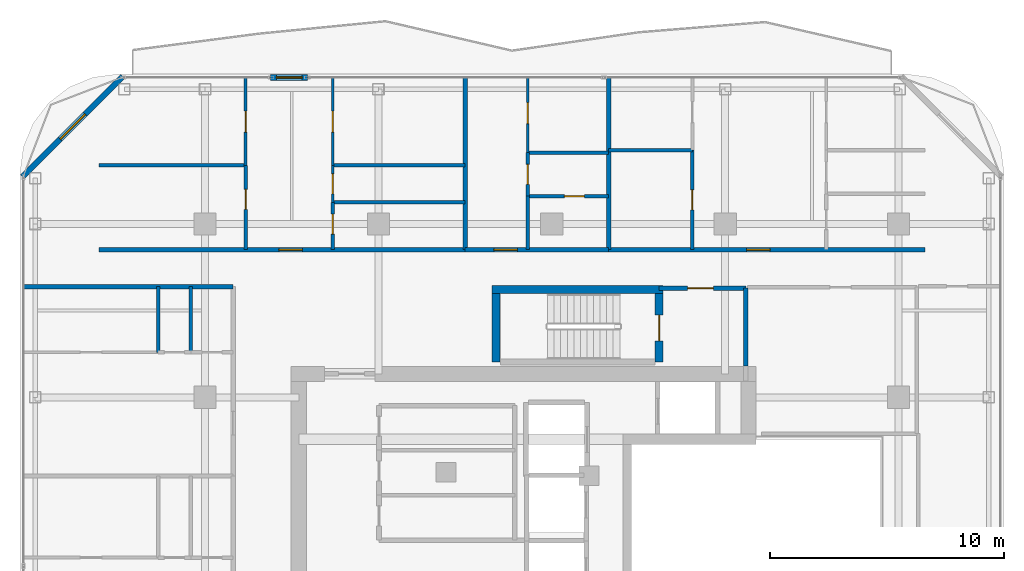
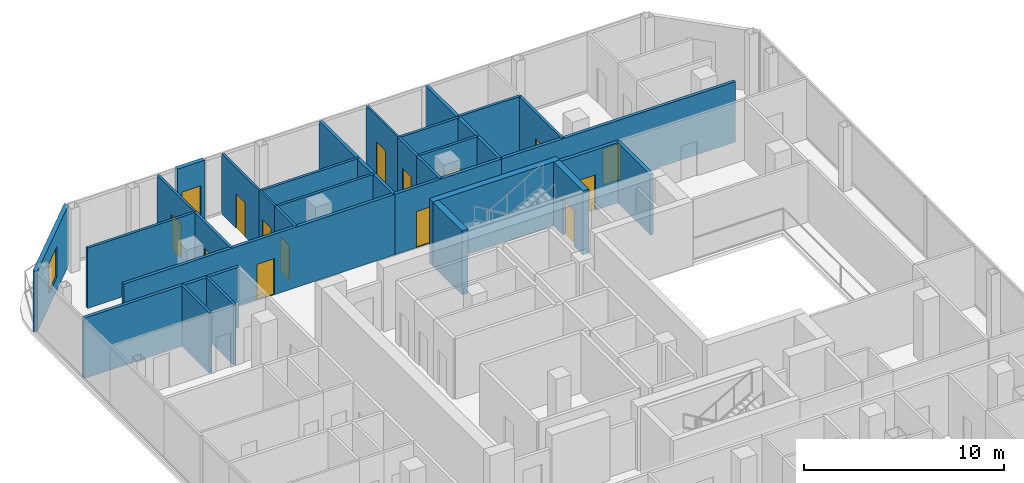
# One storey, part 19 of 23: 30 walls, 15 doors, 1 window, 16 openings.
"""IFC4 building model written with IfcOpenShell, lengths in metres."""

from ifc_helpers import new_model, si_unit, direction, frame, frame_2d, origin, place, context, subcontext, project, spatial, rectangle, extrude, material, layer, layer_set, type_object, element, fill, save


model = new_model("IFC4")

# Units and contexts
model_context = context("Model", 3, precision=1e-05, world=origin(), true_north=direction((0.0, 1.0)))
body_context = subcontext(model_context, "Body", "Model", "MODEL_VIEW")
ifc_project = project(units=[si_unit("LENGTHUNIT", "METRE"), si_unit("AREAUNIT", "SQUARE_METRE"), si_unit("VOLUMEUNIT", "CUBIC_METRE"), si_unit("PLANEANGLEUNIT", "RADIAN"), si_unit("MASSUNIT", "GRAM", prefix="KILO")], contexts=[model_context])

# Site, building, storey
site_placement = place(None, origin())
site = spatial("IfcSite", under=ifc_project, at=site_placement, CompositionType="ELEMENT")
building_placement = place(site_placement, origin())
building = spatial("IfcBuilding", under=site, at=building_placement, Name="Khorvyn Point Tower", CompositionType="ELEMENT")
storey_placement = place(building_placement, frame((0.0, 0.0, 293.699951171875)))
storey = spatial("IfcBuildingStorey", under=building, at=storey_placement, Name="L72", CompositionType="ELEMENT", Elevation=293.699951171875)

# Wall, opening, door
ifc_material_1 = material(Name="Double acoustic gypsum on twin steel stud", Category="steel")
ifc_layer_1 = layer(ifc_material_1, 0.179931640625)
ifc_layer_set_1 = layer_set([ifc_layer_1], Name="Acoustic Double-Stud Apartment Demising Wall 180")
wall_type_1 = type_object("IfcWallType", Name="Acoustic Double-Stud Apartment Demising Wall 180", PredefinedType="PARTITIONING", material=ifc_layer_set_1)
wall_1_placement = place(storey_placement, frame((-19.320068359375, 13.699951171875, 0.0), z_axis=(0.0, 0.0, 1.0), x_axis=(1.0, 0.0, 0.0)))
wall_1 = element("IfcWall", 1, at=wall_1_placement, inside=storey, type_object=wall_type_1, Name="Wall", PredefinedType="PARTITIONING", context=body_context, shape_type="SweptSolid", body=[
    extrude(rectangle(XDim=15.623046875, YDim=0.179931640625, at=frame_2d((7.8115234375, 0.0))), origin(), (0.0, 0.0, 1.0), 3.679931640625),
])
opening_1_placement = place(wall_1_placement, frame((7.669189453125, 0.0, 0.0)))
opening_1 = element("IfcOpeningElement", 2, at=opening_1_placement, cuts=wall_1, Name="Opening ID-AP60", PredefinedType="OPENING", context=body_context, shape_type="SweptSolid", body=[
    extrude(rectangle(XDim=1.0, YDim=2.199951171875, at=frame_2d((0.5, 1.10009765625))), frame((0.0, 0.099853515625, 0.0), z_axis=(0.0, -1.0, 0.0), x_axis=(1.0, 0.0, 0.0)), (0.0, 0.0, 1.0), 0.199951171875),
])
ifc_material_2 = material(Name="Engineered hardwood fire-rated leaf", Category="wood")
door_type_1 = type_object("IfcDoorType", Name="Acoustic Solid-Core Timber Apartment Entrance Door 1000x2200", OperationType="NOTDEFINED", PredefinedType="DOOR", material=ifc_material_2)
door_1_placement = place(opening_1_placement, origin())
door_1 = element("IfcDoor", 3, at=door_1_placement, inside=storey, type_object=door_type_1, Name="Door", OperationType="SINGLE_SWING_LEFT", OverallHeight=2.199951171875, OverallWidth=1.0, PredefinedType="DOOR", context=body_context, shape_type="SweptSolid", body=[
    extrude(rectangle(XDim=1.0, YDim=2.199951171875, at=frame_2d((0.5, 1.10009765625))), frame((0.0, 0.02490234375, 0.0), z_axis=(0.0, -1.0, 0.0), x_axis=(1.0, 0.0, 0.0)), (0.0, 0.0, 1.0), 0.050048828125),
])
fill(opening_1, door_1)

wall_2_placement = place(storey_placement, frame((-3.697021484375, 13.699951171875, 0.0), z_axis=(0.0, 0.0, 1.0), x_axis=(1.0, 0.0, 0.0)))
wall_2 = element("IfcWall", 4, at=wall_2_placement, inside=storey, type_object=wall_type_1, Name="Wall", PredefinedType="PARTITIONING", context=body_context, shape_type="SweptSolid", body=[
    extrude(rectangle(XDim=6.1259765625, YDim=0.179931640625, at=frame_2d((3.06298828125, 0.0))), origin(), (0.0, 0.0, 1.0), 3.679931640625),
])
opening_2_placement = place(wall_2_placement, frame((1.22802734375, 0.0, 0.0)))
opening_2 = element("IfcOpeningElement", 5, at=opening_2_placement, cuts=wall_2, Name="Opening ID-AP60", PredefinedType="OPENING", context=body_context, shape_type="SweptSolid", body=[
    extrude(rectangle(XDim=1.0, YDim=2.199951171875, at=frame_2d((0.5, 1.10009765625))), frame((0.0, 0.099853515625, 0.0), z_axis=(0.0, -1.0, 0.0), x_axis=(1.0, 0.0, 0.0)), (0.0, 0.0, 1.0), 0.199951171875),
])
door_2_placement = place(opening_2_placement, origin())
door_2 = element("IfcDoor", 6, at=door_2_placement, inside=storey, type_object=door_type_1, Name="Door", OperationType="SINGLE_SWING_LEFT", OverallHeight=2.199951171875, OverallWidth=1.0, PredefinedType="DOOR", context=body_context, shape_type="SweptSolid", body=[
    extrude(rectangle(XDim=1.0, YDim=2.199951171875, at=frame_2d((0.5, 1.10009765625))), frame((0.0, 0.02490234375, 0.0), z_axis=(0.0, -1.0, 0.0), x_axis=(1.0, 0.0, 0.0)), (0.0, 0.0, 1.0), 0.050048828125),
])
fill(opening_2, door_2)

wall_3_placement = place(storey_placement, frame((2.428955078125, 13.699951171875, 0.0), z_axis=(0.0, 0.0, 1.0), x_axis=(1.0, 0.0, 0.0)))
wall_3 = element("IfcWall", 7, at=wall_3_placement, inside=storey, type_object=wall_type_1, Name="Wall", PredefinedType="PARTITIONING", context=body_context, shape_type="SweptSolid", body=[
    extrude(rectangle(XDim=13.490966796875, YDim=0.179931640625, at=frame_2d((6.74560546875, 0.0))), origin(), (0.0, 0.0, 1.0), 3.679931640625),
])
opening_3_placement = place(wall_3_placement, frame((5.887451171875, 0.0, 0.0)))
opening_3 = element("IfcOpeningElement", 8, at=opening_3_placement, cuts=wall_3, Name="Opening ID-AP60", PredefinedType="OPENING", context=body_context, shape_type="SweptSolid", body=[
    extrude(rectangle(XDim=1.0, YDim=2.199951171875, at=frame_2d((0.5, 1.10009765625))), frame((0.0, 0.099853515625, 0.0), z_axis=(0.0, -1.0, 0.0), x_axis=(1.0, 0.0, 0.0)), (0.0, 0.0, 1.0), 0.199951171875),
])
door_3_placement = place(opening_3_placement, origin())
door_3 = element("IfcDoor", 9, at=door_3_placement, inside=storey, type_object=door_type_1, Name="Door", OperationType="SINGLE_SWING_LEFT", OverallHeight=2.199951171875, OverallWidth=1.0, PredefinedType="DOOR", context=body_context, shape_type="SweptSolid", body=[
    extrude(rectangle(XDim=1.0, YDim=2.199951171875, at=frame_2d((0.5, 1.10009765625))), frame((0.0, 0.02490234375, 0.0), z_axis=(0.0, -1.0, 0.0), x_axis=(1.0, 0.0, 0.0)), (0.0, 0.0, 1.0), 0.050048828125),
])
fill(opening_3, door_3)

# Walls
for number, where, z_axis, x_axis, name in (
    (10, (-3.697021484375, 13.699951171875, 0.0), (0.0, 0.0, 1.0), (0.0, 1.0, 0.0), "Wall"),
    (11, (2.428955078125, 13.699951171875, 0.0), (0.0, 0.0, 1.0), (0.0, 1.0, 0.0), "Wall"),
):
    element("IfcWall", number, at=place(storey_placement, frame(where, z_axis=z_axis, x_axis=x_axis)), inside=storey, type_object=wall_type_1, Name=name, PredefinedType="PARTITIONING", context=body_context, shape_type="SweptSolid", body=[
        extrude(rectangle(XDim=7.330078125, YDim=0.179931640625, at=frame_2d((3.6650390625, 0.0))), origin(), (0.0, 0.0, 1.0), 3.679931640625),
    ])
wall_4_placement = place(storey_placement, frame((-22.530029296875, 12.1201171875, 0.0), z_axis=(0.0, 0.0, 1.0), x_axis=(1.0, 0.0, 0.0)))
element("IfcWall", 12, at=wall_4_placement, inside=storey, type_object=wall_type_1, Name="Wall", PredefinedType="PARTITIONING", context=body_context, shape_type="SweptSolid", body=[
    extrude(rectangle(XDim=8.929931640625, YDim=0.179931640625, at=frame_2d((4.46484375, 0.0))), origin(), (0.0, 0.0, 1.0), 3.679931640625),
])

# Wall, opening, door
ifc_material_3 = material(Name="Pale anodised aluminium rainscreen on steel stud", Category="steel")
ifc_layer_2 = layer(ifc_material_3, 0.239990234375)
ifc_layer_set_2 = layer_set([ifc_layer_2], Name="Anodised Aluminium Insulated Corner Spandrel Wall 240")
wall_type_2 = type_object("IfcWallType", Name="Anodised Aluminium Insulated Corner Spandrel Wall 240", PredefinedType="SOLIDWALL", material=ifc_layer_set_2)
wall_5_placement = place(storey_placement, frame((-12.0, 21.050048828125, 0.0), z_axis=(0.0, 0.0, 1.0), x_axis=(1.0, 0.0, 0.0)))
wall_5 = element("IfcWall", 13, at=wall_5_placement, inside=storey, type_object=wall_type_2, Name="L72 North Outdoor Threshold Wall", PredefinedType="SOLIDWALL", context=body_context, shape_type="SweptSolid", body=[
    extrude(rectangle(XDim=1.580078125, YDim=0.239990234375, at=frame_2d((0.7900390625, 0.0))), origin(), (0.0, 0.0, 1.0), 3.679931640625),
])
opening_4_placement = place(wall_5_placement, frame((0.239990234375, 0.0, 0.0)))
opening_4 = element("IfcOpeningElement", 14, at=opening_4_placement, cuts=wall_5, Name="Opening BD-1122", PredefinedType="OPENING", context=body_context, shape_type="SweptSolid", body=[
    extrude(rectangle(XDim=1.10009765625, YDim=2.199951171875, at=frame_2d((0.550048828125, 1.10009765625))), frame((0.0, 0.1298828125, 0.0), z_axis=(0.0, -1.0, 0.0), x_axis=(1.0, 0.0, 0.0)), (0.0, 0.0, 1.0), 0.260009765625),
])
ifc_material_4 = material(Name="Anodised aluminium 6063-T6 and laminated Low-E glass", Category="aluminium")
door_type_2 = type_object("IfcDoorType", Name="Glazed Balcony and Terrace Threshold Door 1100x2200", OperationType="NOTDEFINED", PredefinedType="DOOR", material=ifc_material_4)
door_4_placement = place(opening_4_placement, origin())
door_4 = element("IfcDoor", 15, at=door_4_placement, inside=storey, type_object=door_type_2, Name="L72 North Glazed Balcony Outdoor Door", OperationType="SINGLE_SWING_RIGHT", OverallHeight=2.199951171875, OverallWidth=1.10009765625, PredefinedType="DOOR", context=body_context, shape_type="SweptSolid", body=[
    extrude(rectangle(XDim=1.10009765625, YDim=2.199951171875, at=frame_2d((0.550048828125, 1.10009765625))), frame((0.0, 0.02490234375, 0.0), z_axis=(0.0, -1.0, 0.0), x_axis=(1.0, 0.0, 0.0)), (0.0, 0.0, 1.0), 0.050048828125),
])
fill(opening_4, door_4)

# Wall, opening, window
wall_6_placement = place(storey_placement, frame((-22.59228515625, 16.8076171875, 0.0), z_axis=(0.0, 0.0, 1.0), x_axis=(0.707106781187, 0.707106781187, 0.0)))
wall_6 = element("IfcWall", 16, at=wall_6_placement, inside=storey, type_object=wall_type_2, Name="L72 Rounded Corner Wall NW", PredefinedType="SOLIDWALL", context=body_context, shape_type="SweptSolid", body=[
    extrude(rectangle(XDim=6.059326171875, YDim=0.239990234375, at=frame_2d((3.02978515625, 0.0))), origin(), (0.0, 0.0, 1.0), 3.679931640625),
])
opening_5_placement = place(wall_6_placement, frame((2.27978515625, 0.0, 0.800048828125)))
opening_5 = element("IfcOpeningElement", 17, at=opening_5_placement, cuts=wall_6, Name="Opening WN-1518", PredefinedType="OPENING", context=body_context, shape_type="SweptSolid", body=[
    extrude(rectangle(XDim=1.5, YDim=1.85009765625, at=frame_2d((0.75, 0.925048828125))), frame((0.0, 0.1298828125, 0.0), z_axis=(0.0, -1.0, 0.0), x_axis=(1.0, 0.0, 0.0)), (0.0, 0.0, 1.0), 0.260009765625),
])
window_type = type_object("IfcWindowType", Name="Anodised Aluminium Rounded-Corner Panoramic Window 1500x1850", PartitioningType="SINGLE_PANEL", PredefinedType="WINDOW", material=ifc_material_4)
window_placement = place(opening_5_placement, origin())
window = element("IfcWindow", 18, at=window_placement, inside=storey, type_object=window_type, Name="L72 Corner Panoramic Window NW", OverallHeight=1.85009765625, OverallWidth=1.5, PartitioningType="SINGLE_PANEL", PredefinedType="WINDOW", context=body_context, shape_type="SweptSolid", body=[
    extrude(rectangle(XDim=1.5, YDim=1.85009765625, at=frame_2d((0.75, 0.925048828125))), frame((0.0, 0.030029296875, 0.0), z_axis=(0.0, -1.0, 0.0), x_axis=(1.0, 0.0, 0.0)), (0.0, 0.0, 1.0), 0.06005859375),
])
fill(opening_5, window)

# Wall, opening, door
ifc_material_5 = material(Name="Concrete C40/50", Category="concrete")
ifc_layer_3 = layer(ifc_material_5, 0.199951171875)
ifc_layer_set_3 = layer_set([ifc_layer_3], Name="Concrete C40/50 Fire-Lobby Compartment Wall 200")
wall_type_3 = type_object("IfcWallType", Name="Concrete C40/50 Fire-Lobby Compartment Wall 200", PredefinedType="SOLIDWALL", material=ifc_layer_set_3)
wall_7_placement = place(storey_placement, frame((4.580078125, 12.06005859375, 0.0), z_axis=(0.0, 0.0, 1.0), x_axis=(1.0, 0.0, 0.0)))
wall_7 = element("IfcWall", 19, at=wall_7_placement, inside=storey, type_object=wall_type_3, Name="Wall", PredefinedType="SOLIDWALL", context=body_context, shape_type="SweptSolid", body=[
    extrude(rectangle(XDim=3.699951171875, YDim=0.199951171875, at=frame_2d((1.85009765625, 0.0))), origin(), (0.0, 0.0, 1.0), 3.679931640625),
])
opening_6_placement = place(wall_7_placement, frame((1.21240234375, 0.0, 0.0)))
opening_6 = element("IfcOpeningElement", 20, at=opening_6_placement, cuts=wall_7, Name="Opening ID-FL90", PredefinedType="OPENING", context=body_context, shape_type="SweptSolid", body=[
    extrude(rectangle(XDim=1.10009765625, YDim=2.14990234375, at=frame_2d((0.550048828125, 1.074951171875))), frame((0.0, 0.10986328125, 0.0), z_axis=(0.0, -1.0, 0.0), x_axis=(1.0, 0.0, 0.0)), (0.0, 0.0, 1.0), 0.219970703125),
])
ifc_material_6 = material(Name="Galvanised powder-coated steel", Category="steel")
door_type_3 = type_object("IfcDoorType", Name="Fire-Rated Steel Lobby and Stair Door 1100x2150", OperationType="NOTDEFINED", PredefinedType="DOOR", material=ifc_material_6)
door_5_placement = place(opening_6_placement, origin())
door_5 = element("IfcDoor", 21, at=door_5_placement, inside=storey, type_object=door_type_3, Name="Door", OperationType="SINGLE_SWING_LEFT", OverallHeight=2.14990234375, OverallWidth=1.10009765625, PredefinedType="DOOR", context=body_context, shape_type="SweptSolid", body=[
    extrude(rectangle(XDim=1.10009765625, YDim=2.14990234375, at=frame_2d((0.550048828125, 1.074951171875))), frame((0.0, 0.02490234375, 0.0), z_axis=(0.0, -1.0, 0.0), x_axis=(1.0, 0.0, 0.0)), (0.0, 0.0, 1.0), 0.050048828125),
])
fill(opening_6, door_5)

# Walls
wall_8_placement = place(storey_placement, frame((8.280029296875, 8.72509765625, 0.0), z_axis=(0.0, 0.0, 1.0), x_axis=(0.0, 1.0, 0.0)))
element("IfcWall", 22, at=wall_8_placement, inside=storey, type_object=wall_type_3, Name="Wall", PredefinedType="SOLIDWALL", context=body_context, shape_type="SweptSolid", body=[
    extrude(rectangle(XDim=3.3349609375, YDim=0.199951171875, at=frame_2d((1.66748046875, 0.0))), origin(), (0.0, 0.0, 1.0), 3.679931640625),
])
ifc_layer_4 = layer(ifc_material_5, 0.35009765625)
ifc_layer_set_4 = layer_set([ifc_layer_4], Name="Concrete C40/50 Stair Shaft Structural Wall 350")
wall_type_4 = type_object("IfcWallType", Name="Concrete C40/50 Stair Shaft Structural Wall 350", PredefinedType="SHEAR", material=ifc_layer_set_4)
wall_9_placement = place(storey_placement, frame((-2.554931640625, 12.0, 0.0), z_axis=(0.0, 0.0, 1.0), x_axis=(1.0, 0.0, 0.0)))
element("IfcWall", 23, at=wall_9_placement, inside=storey, type_object=wall_type_4, Name="L72 ST-02 North Shaft Wall", PredefinedType="SHEAR", context=body_context, shape_type="SweptSolid", body=[
    extrude(rectangle(XDim=7.309814453125, YDim=0.35009765625, at=frame_2d((3.65478515625, 0.0))), origin(), (0.0, 0.0, 1.0), 3.900146484375),
])
wall_10_placement = place(storey_placement, frame((-2.3798828125, 8.89990234375, 0.0), z_axis=(0.0, 0.0, 1.0), x_axis=(0.0, 1.0, 0.0)))
element("IfcWall", 24, at=wall_10_placement, inside=storey, type_object=wall_type_4, Name="L72 ST-02 West Shaft Wall", PredefinedType="SHEAR", context=body_context, shape_type="SweptSolid", body=[
    extrude(rectangle(XDim=2.925048828125, YDim=0.35009765625, at=frame_2d((1.46240234375, 0.0))), origin(), (0.0, 0.0, 1.0), 3.900146484375),
])

# Wall, opening, door
wall_11_placement = place(storey_placement, frame((4.580078125, 11.824951171875, 0.0), z_axis=(0.0, 0.0, 1.0), x_axis=(0.0, -1.0, 0.0)))
wall_11 = element("IfcWall", 25, at=wall_11_placement, inside=storey, type_object=wall_type_4, Name="L72 ST-02 East Landing Door Wall", PredefinedType="SHEAR", context=body_context, shape_type="SweptSolid", body=[
    extrude(rectangle(XDim=2.925048828125, YDim=0.35009765625, at=frame_2d((1.46240234375, 0.0))), origin(), (0.0, 0.0, 1.0), 3.900146484375),
])
opening_7_placement = place(wall_11_placement, frame((0.91259765625, 0.0, 0.0)))
opening_7 = element("IfcOpeningElement", 26, at=opening_7_placement, cuts=wall_11, Name="Opening ID-FL90", PredefinedType="OPENING", context=body_context, shape_type="SweptSolid", body=[
    extrude(rectangle(XDim=1.10009765625, YDim=2.14990234375, at=frame_2d((0.550048828125, 1.074951171875))), frame((0.0, 0.18505859375, 0.0), z_axis=(0.0, -1.0, 0.0), x_axis=(1.0, 0.0, 0.0)), (0.0, 0.0, 1.0), 0.3701171875),
])
door_6_placement = place(opening_7_placement, origin())
door_6 = element("IfcDoor", 27, at=door_6_placement, inside=storey, type_object=door_type_3, Name="L72 ST-02 Smokeproof Landing Door", OperationType="SINGLE_SWING_LEFT", OverallHeight=2.14990234375, OverallWidth=1.10009765625, PredefinedType="DOOR", context=body_context, shape_type="SweptSolid", body=[
    extrude(rectangle(XDim=1.10009765625, YDim=2.14990234375, at=frame_2d((0.550048828125, 1.074951171875))), frame((0.0, 0.02490234375, 0.0), z_axis=(0.0, -1.0, 0.0), x_axis=(1.0, 0.0, 0.0)), (0.0, 0.0, 1.0), 0.050048828125),
])
fill(opening_7, door_6)

ifc_material_7 = material(Name="Gypsum plasterboard on steel stud", Category="steel")
ifc_layer_5 = layer(ifc_material_7, 0.1201171875)
ifc_layer_set_5 = layer_set([ifc_layer_5], Name="Gypsum Acoustic Stud Room Partition Wall 120")
wall_type_5 = type_object("IfcWallType", Name="Gypsum Acoustic Stud Room Partition Wall 120", PredefinedType="PARTITIONING", material=ifc_layer_set_5)
wall_12_placement = place(storey_placement, frame((-13.071044921875, 17.303955078125, 0.0), z_axis=(0.0, 0.0, 1.0), x_axis=(0.0, 1.0, 0.0)))
wall_12 = element("IfcWall", 28, at=wall_12_placement, inside=storey, type_object=wall_type_5, Name="Wall", PredefinedType="PARTITIONING", context=body_context, shape_type="SweptSolid", body=[
    extrude(rectangle(XDim=3.72607421875, YDim=0.1201171875, at=frame_2d((1.863037109375, 0.0))), origin(), (0.0, 0.0, 1.0), 3.679931640625),
])
opening_8_placement = place(wall_12_placement, frame((1.4130859375, 0.0, 0.0)))
opening_8 = element("IfcOpeningElement", 29, at=opening_8_placement, cuts=wall_12, Name="Opening ID-RM90", PredefinedType="OPENING", context=body_context, shape_type="SweptSolid", body=[
    extrude(rectangle(XDim=0.89990234375, YDim=2.10009765625, at=frame_2d((0.449951171875, 1.050048828125))), frame((0.0, 0.070068359375, 0.0), z_axis=(0.0, -1.0, 0.0), x_axis=(1.0, 0.0, 0.0)), (0.0, 0.0, 1.0), 0.14013671875),
])
ifc_material_8 = material(Name="Engineered oak veneer timber", Category="wood")
door_type_4 = type_object("IfcDoorType", Name="Flush Engineered Timber Room Door 900x2100", OperationType="NOTDEFINED", PredefinedType="DOOR", material=ifc_material_8)
door_7_placement = place(opening_8_placement, origin())
door_7 = element("IfcDoor", 30, at=door_7_placement, inside=storey, type_object=door_type_4, Name="Door", OperationType="SINGLE_SWING_LEFT", OverallHeight=2.10009765625, OverallWidth=0.89990234375, PredefinedType="DOOR", context=body_context, shape_type="SweptSolid", body=[
    extrude(rectangle(XDim=0.89990234375, YDim=2.10009765625, at=frame_2d((0.449951171875, 1.050048828125))), frame((0.0, 0.02490234375, 0.0), z_axis=(0.0, -1.0, 0.0), x_axis=(1.0, 0.0, 0.0)), (0.0, 0.0, 1.0), 0.050048828125),
])
fill(opening_8, door_7)

wall_13_placement = place(storey_placement, frame((-9.34912109375, 15.718017578125, 0.0), z_axis=(0.0, 0.0, 1.0), x_axis=(0.0, 1.0, 0.0)))
wall_13 = element("IfcWall", 31, at=wall_13_placement, inside=storey, type_object=wall_type_5, Name="Wall", PredefinedType="PARTITIONING", context=body_context, shape_type="SweptSolid", body=[
    extrude(rectangle(XDim=1.5859375, YDim=0.1201171875, at=frame_2d((0.79296875, 0.0))), origin(), (0.0, 0.0, 1.0), 3.679931640625),
])
opening_9_placement = place(wall_13_placement, frame((0.367919921875, 0.0, 0.0)))
opening_9 = element("IfcOpeningElement", 32, at=opening_9_placement, cuts=wall_13, Name="Opening ID-WC85", PredefinedType="OPENING", context=body_context, shape_type="SweptSolid", body=[
    extrude(rectangle(XDim=0.85009765625, YDim=2.10009765625, at=frame_2d((0.425048828125, 1.050048828125))), frame((0.0, 0.070068359375, 0.0), z_axis=(0.0, -1.0, 0.0), x_axis=(1.0, 0.0, 0.0)), (0.0, 0.0, 1.0), 0.14013671875),
])
ifc_material_9 = material(Name="High-pressure laminate on moisture-resistant core", Category="wood")
door_type_5 = type_object("IfcDoorType", Name="Moisture-Resistant Accessible Washroom Door 850x2100", OperationType="NOTDEFINED", PredefinedType="DOOR", material=ifc_material_9)
door_8_placement = place(opening_9_placement, origin())
door_8 = element("IfcDoor", 33, at=door_8_placement, inside=storey, type_object=door_type_5, Name="Door", OperationType="SINGLE_SWING_LEFT", OverallHeight=2.10009765625, OverallWidth=0.85009765625, PredefinedType="DOOR", context=body_context, shape_type="SweptSolid", body=[
    extrude(rectangle(XDim=0.85009765625, YDim=2.10009765625, at=frame_2d((0.425048828125, 1.050048828125))), frame((0.0, 0.02490234375, 0.0), z_axis=(0.0, -1.0, 0.0), x_axis=(1.0, 0.0, 0.0)), (0.0, 0.0, 1.0), 0.050048828125),
])
fill(opening_9, door_8)

wall_14_placement = place(storey_placement, frame((-9.34912109375, 17.303955078125, 0.0), z_axis=(0.0, 0.0, 1.0), x_axis=(0.0, 1.0, 0.0)))
wall_14 = element("IfcWall", 34, at=wall_14_placement, inside=storey, type_object=wall_type_5, Name="Wall", PredefinedType="PARTITIONING", context=body_context, shape_type="SweptSolid", body=[
    extrude(rectangle(XDim=3.72607421875, YDim=0.1201171875, at=frame_2d((1.863037109375, 0.0))), origin(), (0.0, 0.0, 1.0), 3.679931640625),
])
opening_10_placement = place(wall_14_placement, frame((1.4130859375, 0.0, 0.0)))
opening_10 = element("IfcOpeningElement", 35, at=opening_10_placement, cuts=wall_14, Name="Opening ID-RM90", PredefinedType="OPENING", context=body_context, shape_type="SweptSolid", body=[
    extrude(rectangle(XDim=0.89990234375, YDim=2.10009765625, at=frame_2d((0.449951171875, 1.050048828125))), frame((0.0, 0.070068359375, 0.0), z_axis=(0.0, -1.0, 0.0), x_axis=(1.0, 0.0, 0.0)), (0.0, 0.0, 1.0), 0.14013671875),
])
door_9_placement = place(opening_10_placement, origin())
door_9 = element("IfcDoor", 36, at=door_9_placement, inside=storey, type_object=door_type_4, Name="Door", OperationType="SINGLE_SWING_RIGHT", OverallHeight=2.10009765625, OverallWidth=0.89990234375, PredefinedType="DOOR", context=body_context, shape_type="SweptSolid", body=[
    extrude(rectangle(XDim=0.89990234375, YDim=2.10009765625, at=frame_2d((0.449951171875, 1.050048828125))), frame((0.0, 0.02490234375, 0.0), z_axis=(0.0, -1.0, 0.0), x_axis=(1.0, 0.0, 0.0)), (0.0, 0.0, 1.0), 0.050048828125),
])
fill(opening_10, door_9)

wall_15_placement = place(storey_placement, frame((-1.031005859375, 17.846923828125, 0.0), z_axis=(0.0, 0.0, 1.0), x_axis=(0.0, 1.0, 0.0)))
wall_15 = element("IfcWall", 37, at=wall_15_placement, inside=storey, type_object=wall_type_5, Name="Wall", PredefinedType="PARTITIONING", context=body_context, shape_type="SweptSolid", body=[
    extrude(rectangle(XDim=3.18310546875, YDim=0.1201171875, at=frame_2d((1.591552734375, 0.0))), origin(), (0.0, 0.0, 1.0), 3.679931640625),
])
opening_11_placement = place(wall_15_placement, frame((1.230712890625, 0.0, 0.0)))
opening_11 = element("IfcOpeningElement", 38, at=opening_11_placement, cuts=wall_15, Name="Opening ID-RM90", PredefinedType="OPENING", context=body_context, shape_type="SweptSolid", body=[
    extrude(rectangle(XDim=0.89990234375, YDim=2.10009765625, at=frame_2d((0.449951171875, 1.050048828125))), frame((0.0, 0.070068359375, 0.0), z_axis=(0.0, -1.0, 0.0), x_axis=(1.0, 0.0, 0.0)), (0.0, 0.0, 1.0), 0.14013671875),
])
door_10_placement = place(opening_11_placement, origin())
door_10 = element("IfcDoor", 39, at=door_10_placement, inside=storey, type_object=door_type_4, Name="Door", OperationType="SINGLE_SWING_RIGHT", OverallHeight=2.10009765625, OverallWidth=0.89990234375, PredefinedType="DOOR", context=body_context, shape_type="SweptSolid", body=[
    extrude(rectangle(XDim=0.89990234375, YDim=2.10009765625, at=frame_2d((0.449951171875, 1.050048828125))), frame((0.0, 0.02490234375, 0.0), z_axis=(0.0, -1.0, 0.0), x_axis=(1.0, 0.0, 0.0)), (0.0, 0.0, 1.0), 0.050048828125),
])
fill(opening_11, door_10)

ifc_material_10 = material(Name="Moisture-resistant gypsum and cement board", Category="gypsum")
ifc_layer_6 = layer(ifc_material_10, 0.14990234375)
ifc_layer_set_6 = layer_set([ifc_layer_6], Name="Moisture-Resistant Wet-Room Partition Wall 150")
wall_type_6 = type_object("IfcWallType", Name="Moisture-Resistant Wet-Room Partition Wall 150", PredefinedType="PARTITIONING", material=ifc_layer_set_6)
wall_16_placement = place(storey_placement, frame((-13.071044921875, 13.699951171875, 0.0), z_axis=(0.0, 0.0, 1.0), x_axis=(0.0, 1.0, 0.0)))
wall_16 = element("IfcWall", 40, at=wall_16_placement, inside=storey, type_object=wall_type_6, Name="Wall", PredefinedType="PARTITIONING", context=body_context, shape_type="SweptSolid", body=[
    extrude(rectangle(XDim=3.60400390625, YDim=0.14990234375, at=frame_2d((1.802001953125, 0.0))), origin(), (0.0, 0.0, 1.0), 3.679931640625),
])
opening_12_placement = place(wall_16_placement, frame((1.724609375, 0.0, 0.0)))
opening_12 = element("IfcOpeningElement", 41, at=opening_12_placement, cuts=wall_16, Name="Opening ID-WC85", PredefinedType="OPENING", context=body_context, shape_type="SweptSolid", body=[
    extrude(rectangle(XDim=0.85009765625, YDim=2.10009765625, at=frame_2d((0.425048828125, 1.050048828125))), frame((0.0, 0.0849609375, 0.0), z_axis=(0.0, -1.0, 0.0), x_axis=(1.0, 0.0, 0.0)), (0.0, 0.0, 1.0), 0.169921875),
])
door_11_placement = place(opening_12_placement, origin())
door_11 = element("IfcDoor", 42, at=door_11_placement, inside=storey, type_object=door_type_5, Name="Door", OperationType="SINGLE_SWING_RIGHT", OverallHeight=2.10009765625, OverallWidth=0.85009765625, PredefinedType="DOOR", context=body_context, shape_type="SweptSolid", body=[
    extrude(rectangle(XDim=0.85009765625, YDim=2.10009765625, at=frame_2d((0.425048828125, 1.050048828125))), frame((0.0, 0.02490234375, 0.0), z_axis=(0.0, -1.0, 0.0), x_axis=(1.0, 0.0, 0.0)), (0.0, 0.0, 1.0), 0.050048828125),
])
fill(opening_12, door_11)

wall_17_placement = place(storey_placement, frame((-9.34912109375, 13.699951171875, 0.0), z_axis=(0.0, 0.0, 1.0), x_axis=(0.0, 1.0, 0.0)))
wall_17 = element("IfcWall", 43, at=wall_17_placement, inside=storey, type_object=wall_type_6, Name="Wall", PredefinedType="PARTITIONING", context=body_context, shape_type="SweptSolid", body=[
    extrude(rectangle(XDim=2.01806640625, YDim=0.14990234375, at=frame_2d((1.009033203125, 0.0))), origin(), (0.0, 0.0, 1.0), 3.679931640625),
])
opening_13_placement = place(wall_17_placement, frame((0.668701171875, 0.0, 0.0)))
opening_13 = element("IfcOpeningElement", 44, at=opening_13_placement, cuts=wall_17, Name="Opening ID-WC85", PredefinedType="OPENING", context=body_context, shape_type="SweptSolid", body=[
    extrude(rectangle(XDim=0.85009765625, YDim=2.10009765625, at=frame_2d((0.425048828125, 1.050048828125))), frame((0.0, 0.0849609375, 0.0), z_axis=(0.0, -1.0, 0.0), x_axis=(1.0, 0.0, 0.0)), (0.0, 0.0, 1.0), 0.169921875),
])
door_12_placement = place(opening_13_placement, origin())
door_12 = element("IfcDoor", 45, at=door_12_placement, inside=storey, type_object=door_type_5, Name="Door", OperationType="SINGLE_SWING_RIGHT", OverallHeight=2.10009765625, OverallWidth=0.85009765625, PredefinedType="DOOR", context=body_context, shape_type="SweptSolid", body=[
    extrude(rectangle(XDim=0.85009765625, YDim=2.10009765625, at=frame_2d((0.425048828125, 1.050048828125))), frame((0.0, 0.02490234375, 0.0), z_axis=(0.0, -1.0, 0.0), x_axis=(1.0, 0.0, 0.0)), (0.0, 0.0, 1.0), 0.050048828125),
])
fill(opening_13, door_12)

# Wall
wall_18_placement = place(storey_placement, frame((-1.031005859375, 13.699951171875, 0.0), z_axis=(0.0, 0.0, 1.0), x_axis=(0.0, 1.0, 0.0)))
element("IfcWall", 46, at=wall_18_placement, inside=storey, type_object=wall_type_6, Name="Wall", PredefinedType="PARTITIONING", context=body_context, shape_type="SweptSolid", body=[
    extrude(rectangle(XDim=2.281005859375, YDim=0.14990234375, at=frame_2d((1.140625, 0.0))), origin(), (0.0, 0.0, 1.0), 3.679931640625),
])

# Wall, opening, door
wall_19_placement = place(storey_placement, frame((-1.031005859375, 15.98095703125, 0.0), z_axis=(0.0, 0.0, 1.0), x_axis=(0.0, 1.0, 0.0)))
wall_19 = element("IfcWall", 47, at=wall_19_placement, inside=storey, type_object=wall_type_6, Name="Wall", PredefinedType="PARTITIONING", context=body_context, shape_type="SweptSolid", body=[
    extrude(rectangle(XDim=1.865966796875, YDim=0.14990234375, at=frame_2d((0.93310546875, 0.0))), origin(), (0.0, 0.0, 1.0), 3.679931640625),
])
opening_14_placement = place(wall_19_placement, frame((0.508056640625, 0.0, 0.0)))
opening_14 = element("IfcOpeningElement", 48, at=opening_14_placement, cuts=wall_19, Name="Opening ID-WC85", PredefinedType="OPENING", context=body_context, shape_type="SweptSolid", body=[
    extrude(rectangle(XDim=0.85009765625, YDim=2.10009765625, at=frame_2d((0.425048828125, 1.050048828125))), frame((0.0, 0.0849609375, 0.0), z_axis=(0.0, -1.0, 0.0), x_axis=(1.0, 0.0, 0.0)), (0.0, 0.0, 1.0), 0.169921875),
])
door_13_placement = place(opening_14_placement, origin())
door_13 = element("IfcDoor", 49, at=door_13_placement, inside=storey, type_object=door_type_5, Name="Door", OperationType="SINGLE_SWING_LEFT", OverallHeight=2.10009765625, OverallWidth=0.85009765625, PredefinedType="DOOR", context=body_context, shape_type="SweptSolid", body=[
    extrude(rectangle(XDim=0.85009765625, YDim=2.10009765625, at=frame_2d((0.425048828125, 1.050048828125))), frame((0.0, 0.02490234375, 0.0), z_axis=(0.0, -1.0, 0.0), x_axis=(1.0, 0.0, 0.0)), (0.0, 0.0, 1.0), 0.050048828125),
])
fill(opening_14, door_13)

wall_20_placement = place(storey_placement, frame((5.9990234375, 13.699951171875, 0.0), z_axis=(0.0, 0.0, 1.0), x_axis=(0.0, 1.0, 0.0)))
wall_20 = element("IfcWall", 50, at=wall_20_placement, inside=storey, type_object=wall_type_6, Name="Wall", PredefinedType="PARTITIONING", context=body_context, shape_type="SweptSolid", body=[
    extrude(rectangle(XDim=4.25, YDim=0.14990234375, at=frame_2d((2.125, 0.0))), origin(), (0.0, 0.0, 1.0), 3.679931640625),
])
opening_15_placement = place(wall_20_placement, frame((1.699951171875, 0.0, 0.0)))
opening_15 = element("IfcOpeningElement", 51, at=opening_15_placement, cuts=wall_20, Name="Opening ID-WC85", PredefinedType="OPENING", context=body_context, shape_type="SweptSolid", body=[
    extrude(rectangle(XDim=0.85009765625, YDim=2.10009765625, at=frame_2d((0.425048828125, 1.050048828125))), frame((0.0, 0.0849609375, 0.0), z_axis=(0.0, -1.0, 0.0), x_axis=(1.0, 0.0, 0.0)), (0.0, 0.0, 1.0), 0.169921875),
])
door_14_placement = place(opening_15_placement, origin())
door_14 = element("IfcDoor", 52, at=door_14_placement, inside=storey, type_object=door_type_5, Name="Door", OperationType="SINGLE_SWING_RIGHT", OverallHeight=2.10009765625, OverallWidth=0.85009765625, PredefinedType="DOOR", context=body_context, shape_type="SweptSolid", body=[
    extrude(rectangle(XDim=0.85009765625, YDim=2.10009765625, at=frame_2d((0.425048828125, 1.050048828125))), frame((0.0, 0.02490234375, 0.0), z_axis=(0.0, -1.0, 0.0), x_axis=(1.0, 0.0, 0.0)), (0.0, 0.0, 1.0), 0.050048828125),
])
fill(opening_15, door_14)

# Walls
wall_21_placement = place(storey_placement, frame((-19.320068359375, 17.303955078125, 0.0), z_axis=(0.0, 0.0, 1.0), x_axis=(1.0, 0.0, 0.0)))
element("IfcWall", 53, at=wall_21_placement, inside=storey, type_object=wall_type_6, Name="Wall", PredefinedType="PARTITIONING", context=body_context, shape_type="SweptSolid", body=[
    extrude(rectangle(XDim=6.2490234375, YDim=0.14990234375, at=frame_2d((3.12451171875, 0.0))), origin(), (0.0, 0.0, 1.0), 3.679931640625),
])
for number, where, z_axis, x_axis, name in (
    (54, (-9.34912109375, 15.718017578125, 0.0), (0.0, 0.0, 1.0), (1.0, 0.0, 0.0), "Wall"),
    (55, (-9.34912109375, 17.303955078125, 0.0), (0.0, 0.0, 1.0), (1.0, 0.0, 0.0), "Wall"),
):
    element("IfcWall", number, at=place(storey_placement, frame(where, z_axis=z_axis, x_axis=x_axis)), inside=storey, type_object=wall_type_6, Name=name, PredefinedType="PARTITIONING", context=body_context, shape_type="SweptSolid", body=[
        extrude(rectangle(XDim=5.652099609375, YDim=0.14990234375, at=frame_2d((2.826171875, 0.0))), origin(), (0.0, 0.0, 1.0), 3.679931640625),
    ])

# Wall, opening, door
wall_22_placement = place(storey_placement, frame((-1.031005859375, 15.98095703125, 0.0), z_axis=(0.0, 0.0, 1.0), x_axis=(1.0, 0.0, 0.0)))
wall_22 = element("IfcWall", 56, at=wall_22_placement, inside=storey, type_object=wall_type_6, Name="Wall", PredefinedType="PARTITIONING", context=body_context, shape_type="SweptSolid", body=[
    extrude(rectangle(XDim=3.4599609375, YDim=0.14990234375, at=frame_2d((1.72998046875, 0.0))), origin(), (0.0, 0.0, 1.0), 3.679931640625),
])
opening_16_placement = place(wall_22_placement, frame((1.569091796875, 0.0, 0.0)))
opening_16 = element("IfcOpeningElement", 57, at=opening_16_placement, cuts=wall_22, Name="Opening ID-WC85", PredefinedType="OPENING", context=body_context, shape_type="SweptSolid", body=[
    extrude(rectangle(XDim=0.85009765625, YDim=2.10009765625, at=frame_2d((0.425048828125, 1.050048828125))), frame((0.0, 0.0849609375, 0.0), z_axis=(0.0, -1.0, 0.0), x_axis=(1.0, 0.0, 0.0)), (0.0, 0.0, 1.0), 0.169921875),
])
door_15_placement = place(opening_16_placement, origin())
door_15 = element("IfcDoor", 58, at=door_15_placement, inside=storey, type_object=door_type_5, Name="Door", OperationType="SINGLE_SWING_RIGHT", OverallHeight=2.10009765625, OverallWidth=0.85009765625, PredefinedType="DOOR", context=body_context, shape_type="SweptSolid", body=[
    extrude(rectangle(XDim=0.85009765625, YDim=2.10009765625, at=frame_2d((0.425048828125, 1.050048828125))), frame((0.0, 0.02490234375, 0.0), z_axis=(0.0, -1.0, 0.0), x_axis=(1.0, 0.0, 0.0)), (0.0, 0.0, 1.0), 0.050048828125),
])
fill(opening_16, door_15)

# Walls
wall_23_placement = place(storey_placement, frame((-1.031005859375, 17.846923828125, 0.0), z_axis=(0.0, 0.0, 1.0), x_axis=(1.0, 0.0, 0.0)))
element("IfcWall", 59, at=wall_23_placement, inside=storey, type_object=wall_type_6, Name="Wall", PredefinedType="PARTITIONING", context=body_context, shape_type="SweptSolid", body=[
    extrude(rectangle(XDim=3.4599609375, YDim=0.14990234375, at=frame_2d((1.72998046875, 0.0))), origin(), (0.0, 0.0, 1.0), 3.679931640625),
])
wall_24_placement = place(storey_placement, frame((2.428955078125, 17.949951171875, 0.0), z_axis=(0.0, 0.0, 1.0), x_axis=(1.0, 0.0, 0.0)))
element("IfcWall", 60, at=wall_24_placement, inside=storey, type_object=wall_type_6, Name="Wall", PredefinedType="PARTITIONING", context=body_context, shape_type="SweptSolid", body=[
    extrude(rectangle(XDim=3.570068359375, YDim=0.14990234375, at=frame_2d((1.78515625, 0.0))), origin(), (0.0, 0.0, 1.0), 3.679931640625),
])
for number, where, z_axis, x_axis, name in (
    (61, (-15.408935546875, 9.320068359375, 0.0), (0.0, 0.0, 1.0), (0.0, 1.0, 0.0), "Wall"),
    (62, (-16.80908203125, 9.320068359375, 0.0), (0.0, 0.0, 1.0), (0.0, 1.0, 0.0), "Wall"),
):
    element("IfcWall", number, at=place(storey_placement, frame(where, z_axis=z_axis, x_axis=x_axis)), inside=storey, type_object=wall_type_6, Name=name, PredefinedType="PARTITIONING", context=body_context, shape_type="SweptSolid", body=[
        extrude(rectangle(XDim=2.800048828125, YDim=0.14990234375, at=frame_2d((1.39990234375, 0.0))), origin(), (0.0, 0.0, 1.0), 3.679931640625),
    ])

save(model, "model.ifc")
